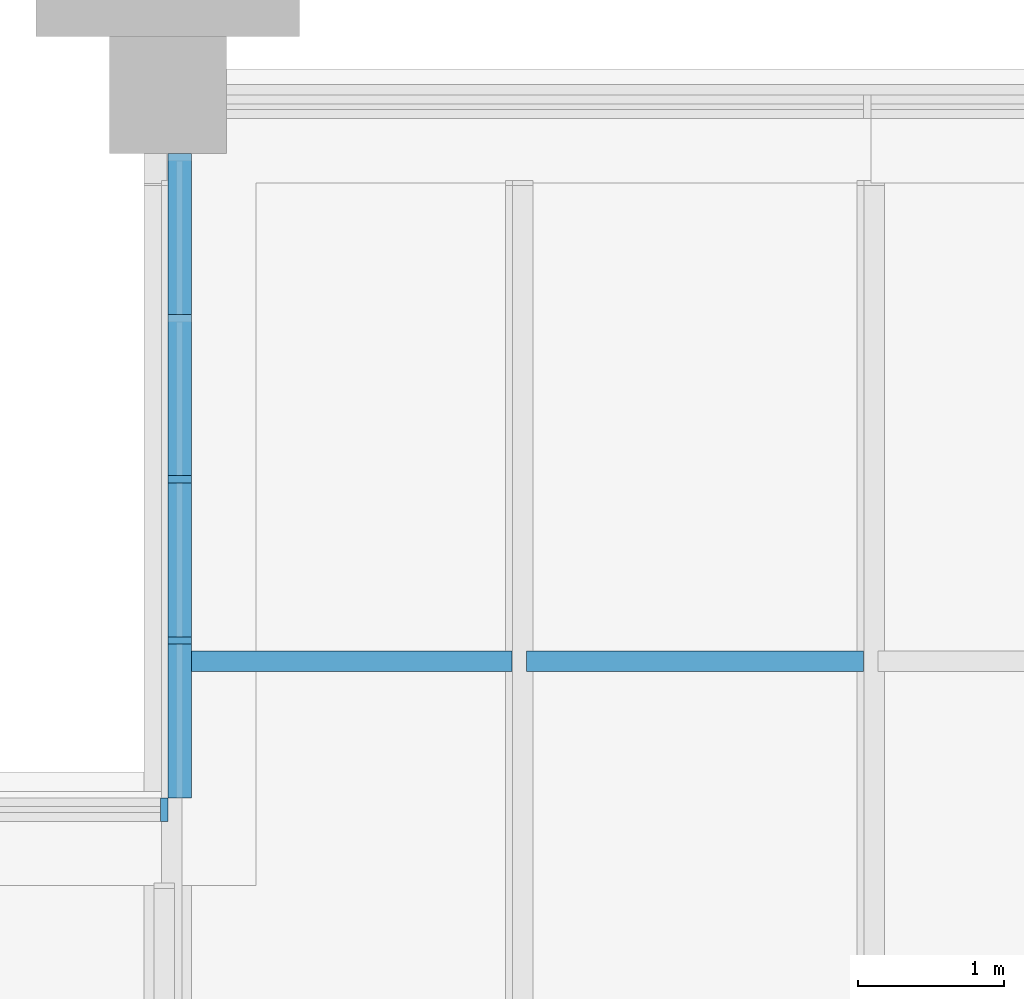
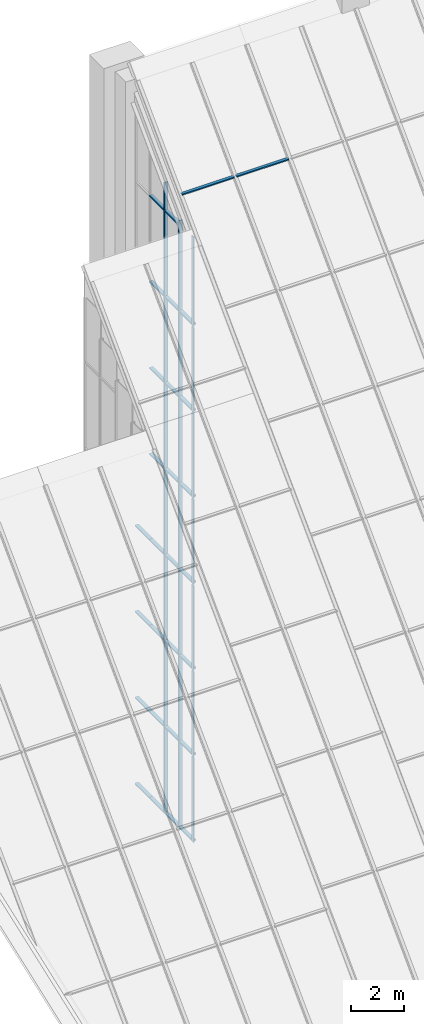
# One storey, part 7 of 25: 51 members, 36 elements without a shape of their own.
"""IFC4 building model written with IfcOpenShell, lengths in metres."""

from ifc_helpers import new_model, si_unit, direction, frame, origin, origin_2d, place, context, subcontext, project, spatial, rectangle, extrude, material, material_profile, profile_set, type_object, element, aggregate, save


model = new_model("IFC4")

# Units and contexts
model_context = context("Model", 3, precision=1e-05, world=origin(), true_north=direction((0.0, 1.0)))
body_context = subcontext(model_context, "Body", "Model", "MODEL_VIEW")
ifc_project = project(units=[si_unit("LENGTHUNIT", "METRE"), si_unit("AREAUNIT", "SQUARE_METRE"), si_unit("VOLUMEUNIT", "CUBIC_METRE"), si_unit("PLANEANGLEUNIT", "RADIAN"), si_unit("MASSUNIT", "GRAM", prefix="KILO")], contexts=[model_context])

# Site, building, storey
site_placement = place(None, origin())
site = spatial("IfcSite", under=ifc_project, at=site_placement, CompositionType="ELEMENT")
building_placement = place(site_placement, origin())
building = spatial("IfcBuilding", under=site, at=building_placement, Name="Baori Bourse Tower", CompositionType="ELEMENT")
storey_placement = place(building_placement, frame((0.0, 0.0, 378.300048828125)))
storey = spatial("IfcBuildingStorey", under=building, at=storey_placement, Name="Roof", CompositionType="ELEMENT", Elevation=378.300048828125)

# Curtain wall, member
ifc_material_1 = material(Name="Pale anodised aluminium", Category="aluminium")
curtain_wall_type_1 = type_object("IfcCurtainWallType", Name="CW3 Curtain wall", PredefinedType="NOTDEFINED", material=ifc_material_1)
curtain_wall_1_placement = place(storey_placement, origin())
curtain_wall_1 = element("IfcCurtainWall", 1, at=curtain_wall_1_placement, inside=storey, type_object=curtain_wall_type_1, Name="Curtain wall CW3 Roof 117", PredefinedType="NOTDEFINED")
ifc_material_2 = material(Name="Pale anodised aluminium", Category="aluminium")
ifc_material_profile_1 = material_profile(ifc_material_2, rectangle(XDim=0.159912109375, YDim=0.050048828125, at=origin_2d()), Name="Mullion 50x160")
ifc_profile_set_1 = profile_set([ifc_material_profile_1], Name="Pale anodised aluminium")
member_type_1 = type_object("IfcMemberType", Name="CW3 Curtain wall mullion", PredefinedType="MULLION", material=ifc_profile_set_1)
member_1_placement = place(storey_placement, frame((19.280029296875, 45.375, -0.18994140625), z_axis=(0.0, 0.0, 1.0), x_axis=(1.0, 0.0, 0.0)))
member_1 = element("IfcMember", 2, at=member_1_placement, type_object=member_type_1, Name="Curtain wall CW3 mullion", PredefinedType="MULLION", context=body_context, shape_type="SweptSolid", body=[
    extrude(rectangle(XDim=0.159912109375, YDim=0.050048828125, at=origin_2d()), origin(), (0.0, 0.0, 1.0), 3.93994140625),
])

curtain_wall_2_placement = place(storey_placement, origin())
curtain_wall_2 = element("IfcCurtainWall", 3, at=curtain_wall_2_placement, inside=storey, type_object=curtain_wall_type_1, Name="Curtain wall CW3 Roof 118", PredefinedType="NOTDEFINED")
member_2_placement = place(storey_placement, frame((19.280029296875, 45.375, 3.81005859375), z_axis=(0.0, 0.0, 1.0), x_axis=(1.0, 0.0, 0.0)))
member_2 = element("IfcMember", 4, at=member_2_placement, type_object=member_type_1, Name="Curtain wall CW3 mullion", PredefinedType="MULLION", context=body_context, shape_type="SweptSolid", body=[
    extrude(rectangle(XDim=0.159912109375, YDim=0.050048828125, at=origin_2d()), origin(), (0.0, 0.0, 1.0), 3.93994140625),
])

curtain_wall_3_placement = place(storey_placement, origin())
curtain_wall_3 = element("IfcCurtainWall", 5, at=curtain_wall_3_placement, inside=storey, type_object=curtain_wall_type_1, Name="Curtain wall CW3 Roof 119", PredefinedType="NOTDEFINED")
member_3_placement = place(storey_placement, frame((19.280029296875, 45.375, 7.81005859375), z_axis=(0.0, 0.0, 1.0), x_axis=(1.0, 0.0, 0.0)))
member_3 = element("IfcMember", 6, at=member_3_placement, type_object=member_type_1, Name="Curtain wall CW3 mullion", PredefinedType="MULLION", context=body_context, shape_type="SweptSolid", body=[
    extrude(rectangle(XDim=0.159912109375, YDim=0.050048828125, at=origin_2d()), origin(), (0.0, 0.0, 1.0), 3.93994140625),
])

curtain_wall_4_placement = place(storey_placement, origin())
curtain_wall_4 = element("IfcCurtainWall", 7, at=curtain_wall_4_placement, inside=storey, type_object=curtain_wall_type_1, Name="Curtain wall CW3 Roof 120", PredefinedType="NOTDEFINED")
member_4_placement = place(storey_placement, frame((19.280029296875, 45.375, 11.81005859375), z_axis=(0.0, 0.0, 1.0), x_axis=(1.0, 0.0, 0.0)))
member_4 = element("IfcMember", 8, at=member_4_placement, type_object=member_type_1, Name="Curtain wall CW3 mullion", PredefinedType="MULLION", context=body_context, shape_type="SweptSolid", body=[
    extrude(rectangle(XDim=0.159912109375, YDim=0.050048828125, at=origin_2d()), origin(), (0.0, 0.0, 1.0), 3.93994140625),
])

curtain_wall_5_placement = place(storey_placement, origin())
curtain_wall_5 = element("IfcCurtainWall", 9, at=curtain_wall_5_placement, inside=storey, type_object=curtain_wall_type_1, Name="Curtain wall CW3 Roof 121", PredefinedType="NOTDEFINED")
member_5_placement = place(storey_placement, frame((19.280029296875, 45.375, 15.81005859375), z_axis=(0.0, 0.0, 1.0), x_axis=(1.0, 0.0, 0.0)))
member_5 = element("IfcMember", 10, at=member_5_placement, type_object=member_type_1, Name="Curtain wall CW3 mullion", PredefinedType="MULLION", context=body_context, shape_type="SweptSolid", body=[
    extrude(rectangle(XDim=0.159912109375, YDim=0.050048828125, at=origin_2d()), origin(), (0.0, 0.0, 1.0), 3.93994140625),
])

curtain_wall_6_placement = place(storey_placement, origin())
curtain_wall_6 = element("IfcCurtainWall", 11, at=curtain_wall_6_placement, inside=storey, type_object=curtain_wall_type_1, Name="Curtain wall CW3 Roof 122", PredefinedType="NOTDEFINED")
member_6_placement = place(storey_placement, frame((19.280029296875, 45.375, 19.81005859375), z_axis=(0.0, 0.0, 1.0), x_axis=(1.0, 0.0, 0.0)))
member_6 = element("IfcMember", 12, at=member_6_placement, type_object=member_type_1, Name="Curtain wall CW3 mullion", PredefinedType="MULLION", context=body_context, shape_type="SweptSolid", body=[
    extrude(rectangle(XDim=0.159912109375, YDim=0.050048828125, at=origin_2d()), origin(), (0.0, 0.0, 1.0), 3.93994140625),
])

curtain_wall_7_placement = place(storey_placement, origin())
curtain_wall_7 = element("IfcCurtainWall", 13, at=curtain_wall_7_placement, inside=storey, type_object=curtain_wall_type_1, Name="Curtain wall CW3 Roof 123", PredefinedType="NOTDEFINED")
member_7_placement = place(storey_placement, frame((19.280029296875, 45.375, 23.81005859375), z_axis=(0.0, 0.0, 1.0), x_axis=(1.0, 0.0, 0.0)))
member_7 = element("IfcMember", 14, at=member_7_placement, type_object=member_type_1, Name="Curtain wall CW3 mullion", PredefinedType="MULLION", context=body_context, shape_type="SweptSolid", body=[
    extrude(rectangle(XDim=0.159912109375, YDim=0.050048828125, at=origin_2d()), origin(), (0.0, 0.0, 1.0), 3.93994140625),
])

curtain_wall_8_placement = place(storey_placement, origin())
curtain_wall_8 = element("IfcCurtainWall", 15, at=curtain_wall_8_placement, inside=storey, type_object=curtain_wall_type_1, Name="Curtain wall CW3 Roof 124", PredefinedType="NOTDEFINED")
member_8_placement = place(storey_placement, frame((19.280029296875, 45.375, 27.81005859375), z_axis=(0.0, 0.0, 1.0), x_axis=(1.0, 0.0, 0.0)))
member_8 = element("IfcMember", 16, at=member_8_placement, type_object=member_type_1, Name="Curtain wall CW3 mullion", PredefinedType="MULLION", context=body_context, shape_type="SweptSolid", body=[
    extrude(rectangle(XDim=0.159912109375, YDim=0.050048828125, at=origin_2d()), origin(), (0.0, 0.0, 1.0), 1.273681640625),
])

curtain_wall_9_placement = place(storey_placement, origin())
curtain_wall_9 = element("IfcCurtainWall", 17, at=curtain_wall_9_placement, inside=storey, type_object=curtain_wall_type_1, Name="Curtain wall CW3 Roof 125", PredefinedType="NOTDEFINED")
member_9_placement = place(storey_placement, frame((19.280029296875, 44.27490234375, -0.18994140625), z_axis=(0.0, 0.0, 1.0), x_axis=(1.0, 0.0, 0.0)))
member_9 = element("IfcMember", 18, at=member_9_placement, type_object=member_type_1, Name="Curtain wall CW3 mullion", PredefinedType="MULLION", context=body_context, shape_type="SweptSolid", body=[
    extrude(rectangle(XDim=0.159912109375, YDim=0.050048828125, at=origin_2d()), origin(), (0.0, 0.0, 1.0), 3.93994140625),
])

curtain_wall_10_placement = place(storey_placement, origin())
curtain_wall_10 = element("IfcCurtainWall", 19, at=curtain_wall_10_placement, inside=storey, type_object=curtain_wall_type_1, Name="Curtain wall CW3 Roof 126", PredefinedType="NOTDEFINED")
member_10_placement = place(storey_placement, frame((19.280029296875, 44.27490234375, 3.81005859375), z_axis=(0.0, 0.0, 1.0), x_axis=(1.0, 0.0, 0.0)))
member_10 = element("IfcMember", 20, at=member_10_placement, type_object=member_type_1, Name="Curtain wall CW3 mullion", PredefinedType="MULLION", context=body_context, shape_type="SweptSolid", body=[
    extrude(rectangle(XDim=0.159912109375, YDim=0.050048828125, at=origin_2d()), origin(), (0.0, 0.0, 1.0), 3.93994140625),
])

curtain_wall_11_placement = place(storey_placement, origin())
curtain_wall_11 = element("IfcCurtainWall", 21, at=curtain_wall_11_placement, inside=storey, type_object=curtain_wall_type_1, Name="Curtain wall CW3 Roof 127", PredefinedType="NOTDEFINED")
member_11_placement = place(storey_placement, frame((19.280029296875, 44.27490234375, 7.81005859375), z_axis=(0.0, 0.0, 1.0), x_axis=(1.0, 0.0, 0.0)))
member_11 = element("IfcMember", 22, at=member_11_placement, type_object=member_type_1, Name="Curtain wall CW3 mullion", PredefinedType="MULLION", context=body_context, shape_type="SweptSolid", body=[
    extrude(rectangle(XDim=0.159912109375, YDim=0.050048828125, at=origin_2d()), origin(), (0.0, 0.0, 1.0), 3.93994140625),
])

curtain_wall_12_placement = place(storey_placement, origin())
curtain_wall_12 = element("IfcCurtainWall", 23, at=curtain_wall_12_placement, inside=storey, type_object=curtain_wall_type_1, Name="Curtain wall CW3 Roof 128", PredefinedType="NOTDEFINED")
member_12_placement = place(storey_placement, frame((19.280029296875, 44.27490234375, 11.81005859375), z_axis=(0.0, 0.0, 1.0), x_axis=(1.0, 0.0, 0.0)))
member_12 = element("IfcMember", 24, at=member_12_placement, type_object=member_type_1, Name="Curtain wall CW3 mullion", PredefinedType="MULLION", context=body_context, shape_type="SweptSolid", body=[
    extrude(rectangle(XDim=0.159912109375, YDim=0.050048828125, at=origin_2d()), origin(), (0.0, 0.0, 1.0), 3.93994140625),
])

curtain_wall_13_placement = place(storey_placement, origin())
curtain_wall_13 = element("IfcCurtainWall", 25, at=curtain_wall_13_placement, inside=storey, type_object=curtain_wall_type_1, Name="Curtain wall CW3 Roof 129", PredefinedType="NOTDEFINED")
member_13_placement = place(storey_placement, frame((19.280029296875, 44.27490234375, 15.81005859375), z_axis=(0.0, 0.0, 1.0), x_axis=(1.0, 0.0, 0.0)))
member_13 = element("IfcMember", 26, at=member_13_placement, type_object=member_type_1, Name="Curtain wall CW3 mullion", PredefinedType="MULLION", context=body_context, shape_type="SweptSolid", body=[
    extrude(rectangle(XDim=0.159912109375, YDim=0.050048828125, at=origin_2d()), origin(), (0.0, 0.0, 1.0), 3.93994140625),
])

curtain_wall_14_placement = place(storey_placement, origin())
curtain_wall_14 = element("IfcCurtainWall", 27, at=curtain_wall_14_placement, inside=storey, type_object=curtain_wall_type_1, Name="Curtain wall CW3 Roof 130", PredefinedType="NOTDEFINED")
member_14_placement = place(storey_placement, frame((19.280029296875, 44.27490234375, 19.81005859375), z_axis=(0.0, 0.0, 1.0), x_axis=(1.0, 0.0, 0.0)))
member_14 = element("IfcMember", 28, at=member_14_placement, type_object=member_type_1, Name="Curtain wall CW3 mullion", PredefinedType="MULLION", context=body_context, shape_type="SweptSolid", body=[
    extrude(rectangle(XDim=0.159912109375, YDim=0.050048828125, at=origin_2d()), origin(), (0.0, 0.0, 1.0), 3.93994140625),
])

curtain_wall_15_placement = place(storey_placement, origin())
curtain_wall_15 = element("IfcCurtainWall", 29, at=curtain_wall_15_placement, inside=storey, type_object=curtain_wall_type_1, Name="Curtain wall CW3 Roof 131", PredefinedType="NOTDEFINED")
member_15_placement = place(storey_placement, frame((19.280029296875, 44.27490234375, 23.81005859375), z_axis=(0.0, 0.0, 1.0), x_axis=(1.0, 0.0, 0.0)))
member_15 = element("IfcMember", 30, at=member_15_placement, type_object=member_type_1, Name="Curtain wall CW3 mullion", PredefinedType="MULLION", context=body_context, shape_type="SweptSolid", body=[
    extrude(rectangle(XDim=0.159912109375, YDim=0.050048828125, at=origin_2d()), origin(), (0.0, 0.0, 1.0), 4.159912109375),
])

curtain_wall_16_placement = place(storey_placement, origin())
curtain_wall_16 = element("IfcCurtainWall", 31, at=curtain_wall_16_placement, inside=storey, type_object=curtain_wall_type_1, Name="Curtain wall CW3 Roof 132", PredefinedType="NOTDEFINED")
member_16_placement = place(storey_placement, frame((19.175048828125, 43.1201171875, -0.18994140625), z_axis=(0.0, 0.0, 1.0), x_axis=(0.0, -1.0, 0.0)))
member_16 = element("IfcMember", 32, at=member_16_placement, type_object=member_type_1, Name="Curtain wall CW3 mullion", PredefinedType="MULLION", context=body_context, shape_type="SweptSolid", body=[
    extrude(rectangle(XDim=0.159912109375, YDim=0.050048828125, at=origin_2d()), origin(), (0.0, 0.0, 1.0), 3.93994140625),
])
aggregate(curtain_wall_16, [member_16])

curtain_wall_17_placement = place(storey_placement, origin())
curtain_wall_17 = element("IfcCurtainWall", 33, at=curtain_wall_17_placement, inside=storey, type_object=curtain_wall_type_1, Name="Curtain wall CW3 Roof 133", PredefinedType="NOTDEFINED")
member_17_placement = place(storey_placement, frame((19.175048828125, 43.1201171875, 3.81005859375), z_axis=(0.0, 0.0, 1.0), x_axis=(0.0, -1.0, 0.0)))
member_17 = element("IfcMember", 34, at=member_17_placement, type_object=member_type_1, Name="Curtain wall CW3 mullion", PredefinedType="MULLION", context=body_context, shape_type="SweptSolid", body=[
    extrude(rectangle(XDim=0.159912109375, YDim=0.050048828125, at=origin_2d()), origin(), (0.0, 0.0, 1.0), 3.93994140625),
])
aggregate(curtain_wall_17, [member_17])

curtain_wall_18_placement = place(storey_placement, origin())
curtain_wall_18 = element("IfcCurtainWall", 35, at=curtain_wall_18_placement, inside=storey, type_object=curtain_wall_type_1, Name="Curtain wall CW3 Roof 134", PredefinedType="NOTDEFINED")
member_18_placement = place(storey_placement, frame((19.175048828125, 43.1201171875, 7.81005859375), z_axis=(0.0, 0.0, 1.0), x_axis=(0.0, -1.0, 0.0)))
member_18 = element("IfcMember", 36, at=member_18_placement, type_object=member_type_1, Name="Curtain wall CW3 mullion", PredefinedType="MULLION", context=body_context, shape_type="SweptSolid", body=[
    extrude(rectangle(XDim=0.159912109375, YDim=0.050048828125, at=origin_2d()), origin(), (0.0, 0.0, 1.0), 3.93994140625),
])
aggregate(curtain_wall_18, [member_18])

curtain_wall_19_placement = place(storey_placement, origin())
curtain_wall_19 = element("IfcCurtainWall", 37, at=curtain_wall_19_placement, inside=storey, type_object=curtain_wall_type_1, Name="Curtain wall CW3 Roof 135", PredefinedType="NOTDEFINED")
member_19_placement = place(storey_placement, frame((19.175048828125, 43.1201171875, 11.81005859375), z_axis=(0.0, 0.0, 1.0), x_axis=(0.0, -1.0, 0.0)))
member_19 = element("IfcMember", 38, at=member_19_placement, type_object=member_type_1, Name="Curtain wall CW3 mullion", PredefinedType="MULLION", context=body_context, shape_type="SweptSolid", body=[
    extrude(rectangle(XDim=0.159912109375, YDim=0.050048828125, at=origin_2d()), origin(), (0.0, 0.0, 1.0), 3.93994140625),
])
aggregate(curtain_wall_19, [member_19])

curtain_wall_20_placement = place(storey_placement, origin())
curtain_wall_20 = element("IfcCurtainWall", 39, at=curtain_wall_20_placement, inside=storey, type_object=curtain_wall_type_1, Name="Curtain wall CW3 Roof 136", PredefinedType="NOTDEFINED")
member_20_placement = place(storey_placement, frame((19.175048828125, 43.1201171875, 15.81005859375), z_axis=(0.0, 0.0, 1.0), x_axis=(0.0, -1.0, 0.0)))
member_20 = element("IfcMember", 40, at=member_20_placement, type_object=member_type_1, Name="Curtain wall CW3 mullion", PredefinedType="MULLION", context=body_context, shape_type="SweptSolid", body=[
    extrude(rectangle(XDim=0.159912109375, YDim=0.050048828125, at=origin_2d()), origin(), (0.0, 0.0, 1.0), 3.93994140625),
])
aggregate(curtain_wall_20, [member_20])

curtain_wall_21_placement = place(storey_placement, origin())
curtain_wall_21 = element("IfcCurtainWall", 41, at=curtain_wall_21_placement, inside=storey, type_object=curtain_wall_type_1, Name="Curtain wall CW3 Roof 137", PredefinedType="NOTDEFINED")
member_21_placement = place(storey_placement, frame((19.175048828125, 43.1201171875, 19.81005859375), z_axis=(0.0, 0.0, 1.0), x_axis=(0.0, -1.0, 0.0)))
member_21 = element("IfcMember", 42, at=member_21_placement, type_object=member_type_1, Name="Curtain wall CW3 mullion", PredefinedType="MULLION", context=body_context, shape_type="SweptSolid", body=[
    extrude(rectangle(XDim=0.159912109375, YDim=0.050048828125, at=origin_2d()), origin(), (0.0, 0.0, 1.0), 3.93994140625),
])
aggregate(curtain_wall_21, [member_21])

curtain_wall_22_placement = place(storey_placement, origin())
curtain_wall_22 = element("IfcCurtainWall", 43, at=curtain_wall_22_placement, inside=storey, type_object=curtain_wall_type_1, Name="Curtain wall CW3 Roof 138", PredefinedType="NOTDEFINED")
member_22_placement = place(storey_placement, frame((19.175048828125, 43.1201171875, 23.81005859375), z_axis=(0.0, 0.0, 1.0), x_axis=(0.0, -1.0, 0.0)))
member_22 = element("IfcMember", 44, at=member_22_placement, type_object=member_type_1, Name="Curtain wall CW3 mullion", PredefinedType="MULLION", context=body_context, shape_type="SweptSolid", body=[
    extrude(rectangle(XDim=0.159912109375, YDim=0.050048828125, at=origin_2d()), origin(), (0.0, 0.0, 1.0), 4.159912109375),
])
aggregate(curtain_wall_22, [member_22])

curtain_wall_23_placement = place(storey_placement, origin())
curtain_wall_23 = element("IfcCurtainWall", 45, at=curtain_wall_23_placement, inside=storey, type_object=curtain_wall_type_1, Name="Curtain wall CW3 Roof 101", PredefinedType="NOTDEFINED")
ifc_material_3 = material(Name="Pale anodised aluminium", Category="aluminium")
ifc_material_profile_2 = material_profile(ifc_material_3, rectangle(XDim=0.159912109375, YDim=0.06005859375, at=origin_2d()), Name="Transom 60x160")
ifc_profile_set_2 = profile_set([ifc_material_profile_2], Name="Pale anodised aluminium")
member_type_2 = type_object("IfcMemberType", Name="CW3 Curtain wall transom", PredefinedType="USERDEFINED", material=ifc_profile_set_2)
member_23_placement = place(storey_placement, frame((19.280029296875, 47.60009765625, -0.219970703125), z_axis=(0.0, -1.0, 0.0), x_axis=(1.0, 0.0, 0.0)))
member_23 = element("IfcMember", 46, at=member_23_placement, type_object=member_type_2, Name="Curtain wall CW3 sill rail", ObjectType="TRANSOM", PredefinedType="USERDEFINED", context=body_context, shape_type="SweptSolid", body=[
    extrude(rectangle(XDim=0.159912109375, YDim=0.06005859375, at=origin_2d()), origin(), (0.0, 0.0, 1.0), 1.10009765625),
])
aggregate(curtain_wall_23, [member_23])

curtain_wall_24_placement = place(storey_placement, origin())
curtain_wall_24 = element("IfcCurtainWall", 47, at=curtain_wall_24_placement, inside=storey, type_object=curtain_wall_type_1, Name="Curtain wall CW3 Roof 102", PredefinedType="NOTDEFINED")
member_24_placement = place(storey_placement, frame((19.280029296875, 47.60009765625, 3.780029296875), z_axis=(0.0, -1.0, 0.0), x_axis=(1.0, 0.0, 0.0)))
member_24 = element("IfcMember", 48, at=member_24_placement, type_object=member_type_2, Name="Curtain wall CW3 sill rail", ObjectType="TRANSOM", PredefinedType="USERDEFINED", context=body_context, shape_type="SweptSolid", body=[
    extrude(rectangle(XDim=0.159912109375, YDim=0.06005859375, at=origin_2d()), origin(), (0.0, 0.0, 1.0), 1.10009765625),
])
aggregate(curtain_wall_24, [member_24])

curtain_wall_25_placement = place(storey_placement, origin())
curtain_wall_25 = element("IfcCurtainWall", 49, at=curtain_wall_25_placement, inside=storey, type_object=curtain_wall_type_1, Name="Curtain wall CW3 Roof 103", PredefinedType="NOTDEFINED")
member_25_placement = place(storey_placement, frame((19.280029296875, 47.60009765625, 7.780029296875), z_axis=(0.0, -1.0, 0.0), x_axis=(1.0, 0.0, 0.0)))
member_25 = element("IfcMember", 50, at=member_25_placement, type_object=member_type_2, Name="Curtain wall CW3 sill rail", ObjectType="TRANSOM", PredefinedType="USERDEFINED", context=body_context, shape_type="SweptSolid", body=[
    extrude(rectangle(XDim=0.159912109375, YDim=0.06005859375, at=origin_2d()), origin(), (0.0, 0.0, 1.0), 1.10009765625),
])
aggregate(curtain_wall_25, [member_25])

curtain_wall_26_placement = place(storey_placement, origin())
curtain_wall_26 = element("IfcCurtainWall", 51, at=curtain_wall_26_placement, inside=storey, type_object=curtain_wall_type_1, Name="Curtain wall CW3 Roof 104", PredefinedType="NOTDEFINED")
member_26_placement = place(storey_placement, frame((19.280029296875, 47.60009765625, 11.780029296875), z_axis=(0.0, -1.0, 0.0), x_axis=(1.0, 0.0, 0.0)))
member_26 = element("IfcMember", 52, at=member_26_placement, type_object=member_type_2, Name="Curtain wall CW3 sill rail", ObjectType="TRANSOM", PredefinedType="USERDEFINED", context=body_context, shape_type="SweptSolid", body=[
    extrude(rectangle(XDim=0.159912109375, YDim=0.06005859375, at=origin_2d()), origin(), (0.0, 0.0, 1.0), 1.10009765625),
])
aggregate(curtain_wall_26, [member_26])

curtain_wall_27_placement = place(storey_placement, origin())
curtain_wall_27 = element("IfcCurtainWall", 53, at=curtain_wall_27_placement, inside=storey, type_object=curtain_wall_type_1, Name="Curtain wall CW3 Roof 109", PredefinedType="NOTDEFINED")
member_27_placement = place(storey_placement, frame((19.280029296875, 46.5, -0.219970703125), z_axis=(0.0, -1.0, 0.0), x_axis=(1.0, 0.0, 0.0)))
member_27 = element("IfcMember", 54, at=member_27_placement, type_object=member_type_2, Name="Curtain wall CW3 sill rail", ObjectType="TRANSOM", PredefinedType="USERDEFINED", context=body_context, shape_type="SweptSolid", body=[
    extrude(rectangle(XDim=0.159912109375, YDim=0.06005859375, at=origin_2d()), origin(), (0.0, 0.0, 1.0), 1.10009765625),
])
aggregate(curtain_wall_27, [member_27])

curtain_wall_28_placement = place(storey_placement, origin())
curtain_wall_28 = element("IfcCurtainWall", 55, at=curtain_wall_28_placement, inside=storey, type_object=curtain_wall_type_1, Name="Curtain wall CW3 Roof 110", PredefinedType="NOTDEFINED")
member_28_placement = place(storey_placement, frame((19.280029296875, 46.5, 3.780029296875), z_axis=(0.0, -1.0, 0.0), x_axis=(1.0, 0.0, 0.0)))
member_28 = element("IfcMember", 56, at=member_28_placement, type_object=member_type_2, Name="Curtain wall CW3 sill rail", ObjectType="TRANSOM", PredefinedType="USERDEFINED", context=body_context, shape_type="SweptSolid", body=[
    extrude(rectangle(XDim=0.159912109375, YDim=0.06005859375, at=origin_2d()), origin(), (0.0, 0.0, 1.0), 1.10009765625),
])
aggregate(curtain_wall_28, [member_28])

curtain_wall_29_placement = place(storey_placement, origin())
curtain_wall_29 = element("IfcCurtainWall", 57, at=curtain_wall_29_placement, inside=storey, type_object=curtain_wall_type_1, Name="Curtain wall CW3 Roof 111", PredefinedType="NOTDEFINED")
member_29_placement = place(storey_placement, frame((19.280029296875, 46.5, 7.780029296875), z_axis=(0.0, -1.0, 0.0), x_axis=(1.0, 0.0, 0.0)))
member_29 = element("IfcMember", 58, at=member_29_placement, type_object=member_type_2, Name="Curtain wall CW3 sill rail", ObjectType="TRANSOM", PredefinedType="USERDEFINED", context=body_context, shape_type="SweptSolid", body=[
    extrude(rectangle(XDim=0.159912109375, YDim=0.06005859375, at=origin_2d()), origin(), (0.0, 0.0, 1.0), 1.10009765625),
])
aggregate(curtain_wall_29, [member_29])

curtain_wall_30_placement = place(storey_placement, origin())
curtain_wall_30 = element("IfcCurtainWall", 59, at=curtain_wall_30_placement, inside=storey, type_object=curtain_wall_type_1, Name="Curtain wall CW3 Roof 112", PredefinedType="NOTDEFINED")
member_30_placement = place(storey_placement, frame((19.280029296875, 46.5, 11.780029296875), z_axis=(0.0, -1.0, 0.0), x_axis=(1.0, 0.0, 0.0)))
member_30 = element("IfcMember", 60, at=member_30_placement, type_object=member_type_2, Name="Curtain wall CW3 sill rail", ObjectType="TRANSOM", PredefinedType="USERDEFINED", context=body_context, shape_type="SweptSolid", body=[
    extrude(rectangle(XDim=0.159912109375, YDim=0.06005859375, at=origin_2d()), origin(), (0.0, 0.0, 1.0), 1.10009765625),
])
aggregate(curtain_wall_30, [member_30])

curtain_wall_31_placement = place(storey_placement, origin())
curtain_wall_31 = element("IfcCurtainWall", 61, at=curtain_wall_31_placement, inside=storey, type_object=curtain_wall_type_1, Name="Curtain wall CW3 Roof 113", PredefinedType="NOTDEFINED")
member_31_placement = place(storey_placement, frame((19.280029296875, 46.5, 15.780029296875), z_axis=(0.0, -1.0, 0.0), x_axis=(1.0, 0.0, 0.0)))
member_31 = element("IfcMember", 62, at=member_31_placement, type_object=member_type_2, Name="Curtain wall CW3 sill rail", ObjectType="TRANSOM", PredefinedType="USERDEFINED", context=body_context, shape_type="SweptSolid", body=[
    extrude(rectangle(XDim=0.159912109375, YDim=0.06005859375, at=origin_2d()), origin(), (0.0, 0.0, 1.0), 1.10009765625),
])
aggregate(curtain_wall_31, [member_31])

curtain_wall_32_placement = place(storey_placement, origin())
curtain_wall_32 = element("IfcCurtainWall", 63, at=curtain_wall_32_placement, inside=storey, type_object=curtain_wall_type_1, Name="Curtain wall CW3 Roof 114", PredefinedType="NOTDEFINED")
member_32_placement = place(storey_placement, frame((19.280029296875, 46.5, 19.780029296875), z_axis=(0.0, -1.0, 0.0), x_axis=(1.0, 0.0, 0.0)))
member_32 = element("IfcMember", 64, at=member_32_placement, type_object=member_type_2, Name="Curtain wall CW3 sill rail", ObjectType="TRANSOM", PredefinedType="USERDEFINED", context=body_context, shape_type="SweptSolid", body=[
    extrude(rectangle(XDim=0.159912109375, YDim=0.06005859375, at=origin_2d()), origin(), (0.0, 0.0, 1.0), 1.10009765625),
])
aggregate(curtain_wall_32, [member_32])

curtain_wall_33_placement = place(storey_placement, origin())
curtain_wall_33 = element("IfcCurtainWall", 65, at=curtain_wall_33_placement, inside=storey, type_object=curtain_wall_type_1, Name="Curtain wall CW3 Roof 115", PredefinedType="NOTDEFINED")
member_33_placement = place(storey_placement, frame((19.280029296875, 46.5, 23.780029296875), z_axis=(0.0, -1.0, 0.0), x_axis=(1.0, 0.0, 0.0)))
member_33 = element("IfcMember", 66, at=member_33_placement, type_object=member_type_2, Name="Curtain wall CW3 sill rail", ObjectType="TRANSOM", PredefinedType="USERDEFINED", context=body_context, shape_type="SweptSolid", body=[
    extrude(rectangle(XDim=0.159912109375, YDim=0.06005859375, at=origin_2d()), origin(), (0.0, 0.0, 1.0), 1.10009765625),
])
aggregate(curtain_wall_33, [member_33])

curtain_wall_34_placement = place(storey_placement, origin())
curtain_wall_34 = element("IfcCurtainWall", 67, at=curtain_wall_34_placement, inside=storey, type_object=curtain_wall_type_1, Name="Curtain wall CW3 Roof 116", PredefinedType="NOTDEFINED")
member_34_placement = place(storey_placement, frame((19.280029296875, 46.5, 27.780029296875), z_axis=(0.0, -1.0, 0.0), x_axis=(1.0, 0.0, 0.0)))
member_34 = element("IfcMember", 68, at=member_34_placement, type_object=member_type_2, Name="Curtain wall CW3 sill rail", ObjectType="TRANSOM", PredefinedType="USERDEFINED", context=body_context, shape_type="SweptSolid", body=[
    extrude(rectangle(XDim=0.159912109375, YDim=0.06005859375, at=origin_2d()), origin(), (0.0, 0.0, 1.0), 1.10009765625),
])
aggregate(curtain_wall_34, [member_34])

# Member
member_35_placement = place(storey_placement, frame((19.280029296875, 45.39990234375, -0.219970703125), z_axis=(0.0, -1.0, 0.0), x_axis=(1.0, 0.0, 0.0)))
member_35 = element("IfcMember", 69, at=member_35_placement, type_object=member_type_2, Name="Curtain wall CW3 sill rail", ObjectType="TRANSOM", PredefinedType="USERDEFINED", context=body_context, shape_type="SweptSolid", body=[
    extrude(rectangle(XDim=0.159912109375, YDim=0.06005859375, at=origin_2d()), origin(), (0.0, 0.0, 1.0), 1.099853515625),
])

aggregate(curtain_wall_1, [member_35, member_1])

member_36_placement = place(storey_placement, frame((19.280029296875, 45.39990234375, 3.780029296875), z_axis=(0.0, -1.0, 0.0), x_axis=(1.0, 0.0, 0.0)))
member_36 = element("IfcMember", 70, at=member_36_placement, type_object=member_type_2, Name="Curtain wall CW3 sill rail", ObjectType="TRANSOM", PredefinedType="USERDEFINED", context=body_context, shape_type="SweptSolid", body=[
    extrude(rectangle(XDim=0.159912109375, YDim=0.06005859375, at=origin_2d()), origin(), (0.0, 0.0, 1.0), 1.099853515625),
])

aggregate(curtain_wall_2, [member_36, member_2])

member_37_placement = place(storey_placement, frame((19.280029296875, 45.39990234375, 7.780029296875), z_axis=(0.0, -1.0, 0.0), x_axis=(1.0, 0.0, 0.0)))
member_37 = element("IfcMember", 71, at=member_37_placement, type_object=member_type_2, Name="Curtain wall CW3 sill rail", ObjectType="TRANSOM", PredefinedType="USERDEFINED", context=body_context, shape_type="SweptSolid", body=[
    extrude(rectangle(XDim=0.159912109375, YDim=0.06005859375, at=origin_2d()), origin(), (0.0, 0.0, 1.0), 1.099853515625),
])

aggregate(curtain_wall_3, [member_37, member_3])

member_38_placement = place(storey_placement, frame((19.280029296875, 45.39990234375, 11.780029296875), z_axis=(0.0, -1.0, 0.0), x_axis=(1.0, 0.0, 0.0)))
member_38 = element("IfcMember", 72, at=member_38_placement, type_object=member_type_2, Name="Curtain wall CW3 sill rail", ObjectType="TRANSOM", PredefinedType="USERDEFINED", context=body_context, shape_type="SweptSolid", body=[
    extrude(rectangle(XDim=0.159912109375, YDim=0.06005859375, at=origin_2d()), origin(), (0.0, 0.0, 1.0), 1.099853515625),
])

aggregate(curtain_wall_4, [member_38, member_4])

member_39_placement = place(storey_placement, frame((19.280029296875, 45.39990234375, 15.780029296875), z_axis=(0.0, -1.0, 0.0), x_axis=(1.0, 0.0, 0.0)))
member_39 = element("IfcMember", 73, at=member_39_placement, type_object=member_type_2, Name="Curtain wall CW3 sill rail", ObjectType="TRANSOM", PredefinedType="USERDEFINED", context=body_context, shape_type="SweptSolid", body=[
    extrude(rectangle(XDim=0.159912109375, YDim=0.06005859375, at=origin_2d()), origin(), (0.0, 0.0, 1.0), 1.099853515625),
])

aggregate(curtain_wall_5, [member_39, member_5])

member_40_placement = place(storey_placement, frame((19.280029296875, 45.39990234375, 19.780029296875), z_axis=(0.0, -1.0, 0.0), x_axis=(1.0, 0.0, 0.0)))
member_40 = element("IfcMember", 74, at=member_40_placement, type_object=member_type_2, Name="Curtain wall CW3 sill rail", ObjectType="TRANSOM", PredefinedType="USERDEFINED", context=body_context, shape_type="SweptSolid", body=[
    extrude(rectangle(XDim=0.159912109375, YDim=0.06005859375, at=origin_2d()), origin(), (0.0, 0.0, 1.0), 1.099853515625),
])

aggregate(curtain_wall_6, [member_40, member_6])

member_41_placement = place(storey_placement, frame((19.280029296875, 45.39990234375, 23.780029296875), z_axis=(0.0, -1.0, 0.0), x_axis=(1.0, 0.0, 0.0)))
member_41 = element("IfcMember", 75, at=member_41_placement, type_object=member_type_2, Name="Curtain wall CW3 sill rail", ObjectType="TRANSOM", PredefinedType="USERDEFINED", context=body_context, shape_type="SweptSolid", body=[
    extrude(rectangle(XDim=0.159912109375, YDim=0.06005859375, at=origin_2d()), origin(), (0.0, 0.0, 1.0), 1.099853515625),
])

aggregate(curtain_wall_7, [member_41, member_7])

member_42_placement = place(storey_placement, frame((19.280029296875, 45.39990234375, 27.780029296875), z_axis=(0.0, -1.0, 0.0), x_axis=(1.0, 0.0, 0.0)))
member_42 = element("IfcMember", 76, at=member_42_placement, type_object=member_type_2, Name="Curtain wall CW3 sill rail", ObjectType="TRANSOM", PredefinedType="USERDEFINED", context=body_context, shape_type="SweptSolid", body=[
    extrude(rectangle(XDim=0.159912109375, YDim=0.06005859375, at=origin_2d()), origin(), (0.0, 0.0, 1.0), 1.099853515625),
])

aggregate(curtain_wall_8, [member_42, member_8])

member_43_placement = place(storey_placement, frame((19.280029296875, 44.300048828125, -0.219970703125), z_axis=(0.0, -1.0, 0.0), x_axis=(1.0, 0.0, 0.0)))
member_43 = element("IfcMember", 77, at=member_43_placement, type_object=member_type_2, Name="Curtain wall CW3 sill rail", ObjectType="TRANSOM", PredefinedType="USERDEFINED", context=body_context, shape_type="SweptSolid", body=[
    extrude(rectangle(XDim=0.159912109375, YDim=0.06005859375, at=origin_2d()), origin(), (0.0, 0.0, 1.0), 1.10009765625),
])

aggregate(curtain_wall_9, [member_43, member_9])

member_44_placement = place(storey_placement, frame((19.280029296875, 44.300048828125, 3.780029296875), z_axis=(0.0, -1.0, 0.0), x_axis=(1.0, 0.0, 0.0)))
member_44 = element("IfcMember", 78, at=member_44_placement, type_object=member_type_2, Name="Curtain wall CW3 sill rail", ObjectType="TRANSOM", PredefinedType="USERDEFINED", context=body_context, shape_type="SweptSolid", body=[
    extrude(rectangle(XDim=0.159912109375, YDim=0.06005859375, at=origin_2d()), origin(), (0.0, 0.0, 1.0), 1.10009765625),
])

aggregate(curtain_wall_10, [member_44, member_10])

member_45_placement = place(storey_placement, frame((19.280029296875, 44.300048828125, 7.780029296875), z_axis=(0.0, -1.0, 0.0), x_axis=(1.0, 0.0, 0.0)))
member_45 = element("IfcMember", 79, at=member_45_placement, type_object=member_type_2, Name="Curtain wall CW3 sill rail", ObjectType="TRANSOM", PredefinedType="USERDEFINED", context=body_context, shape_type="SweptSolid", body=[
    extrude(rectangle(XDim=0.159912109375, YDim=0.06005859375, at=origin_2d()), origin(), (0.0, 0.0, 1.0), 1.10009765625),
])

aggregate(curtain_wall_11, [member_45, member_11])

member_46_placement = place(storey_placement, frame((19.280029296875, 44.300048828125, 11.780029296875), z_axis=(0.0, -1.0, 0.0), x_axis=(1.0, 0.0, 0.0)))
member_46 = element("IfcMember", 80, at=member_46_placement, type_object=member_type_2, Name="Curtain wall CW3 sill rail", ObjectType="TRANSOM", PredefinedType="USERDEFINED", context=body_context, shape_type="SweptSolid", body=[
    extrude(rectangle(XDim=0.159912109375, YDim=0.06005859375, at=origin_2d()), origin(), (0.0, 0.0, 1.0), 1.10009765625),
])

aggregate(curtain_wall_12, [member_46, member_12])

member_47_placement = place(storey_placement, frame((19.280029296875, 44.300048828125, 15.780029296875), z_axis=(0.0, -1.0, 0.0), x_axis=(1.0, 0.0, 0.0)))
member_47 = element("IfcMember", 81, at=member_47_placement, type_object=member_type_2, Name="Curtain wall CW3 sill rail", ObjectType="TRANSOM", PredefinedType="USERDEFINED", context=body_context, shape_type="SweptSolid", body=[
    extrude(rectangle(XDim=0.159912109375, YDim=0.06005859375, at=origin_2d()), origin(), (0.0, 0.0, 1.0), 1.10009765625),
])

aggregate(curtain_wall_13, [member_47, member_13])

member_48_placement = place(storey_placement, frame((19.280029296875, 44.300048828125, 19.780029296875), z_axis=(0.0, -1.0, 0.0), x_axis=(1.0, 0.0, 0.0)))
member_48 = element("IfcMember", 82, at=member_48_placement, type_object=member_type_2, Name="Curtain wall CW3 sill rail", ObjectType="TRANSOM", PredefinedType="USERDEFINED", context=body_context, shape_type="SweptSolid", body=[
    extrude(rectangle(XDim=0.159912109375, YDim=0.06005859375, at=origin_2d()), origin(), (0.0, 0.0, 1.0), 1.10009765625),
])

aggregate(curtain_wall_14, [member_48, member_14])

member_49_placement = place(storey_placement, frame((19.280029296875, 44.300048828125, 23.780029296875), z_axis=(0.0, -1.0, 0.0), x_axis=(1.0, 0.0, 0.0)))
member_49 = element("IfcMember", 83, at=member_49_placement, type_object=member_type_2, Name="Curtain wall CW3 sill rail", ObjectType="TRANSOM", PredefinedType="USERDEFINED", context=body_context, shape_type="SweptSolid", body=[
    extrude(rectangle(XDim=0.159912109375, YDim=0.06005859375, at=origin_2d()), origin(), (0.0, 0.0, 1.0), 1.10009765625),
])

aggregate(curtain_wall_15, [member_49, member_15])

# Curtain wall, member
ifc_material_4 = material(Name="Pale anodised aluminium", Category="aluminium")
curtain_wall_type_2 = type_object("IfcCurtainWallType", Name="CW4 Curtain wall", PredefinedType="NOTDEFINED", material=ifc_material_4)
curtain_wall_35_placement = place(storey_placement, origin())
curtain_wall_35 = element("IfcCurtainWall", 84, at=curtain_wall_35_placement, inside=storey, type_object=curtain_wall_type_2, Name="Curtain wall CW4 roof glazing 9", PredefinedType="NOTDEFINED")
ifc_material_5 = material(Name="Pale anodised aluminium", Category="aluminium")
ifc_material_profile_3 = material_profile(ifc_material_5, rectangle(XDim=0.139892578125, YDim=0.054931640625, at=origin_2d()), Name="Transom 55x140")
ifc_profile_set_3 = profile_set([ifc_material_profile_3], Name="Pale anodised aluminium")
member_type_3 = type_object("IfcMemberType", Name="CW4 Curtain wall transom", PredefinedType="USERDEFINED", material=ifc_profile_set_3)
member_50_placement = place(storey_placement, frame((19.25, 44.13232421875, 29.283447265625), z_axis=(1.0, 0.0, 0.0), x_axis=(0.0, 1.0, 0.0)))
member_50 = element("IfcMember", 85, at=member_50_placement, type_object=member_type_3, Name="Curtain wall CW4 cross bar 9.9", ObjectType="TRANSOM", PredefinedType="USERDEFINED", context=body_context, shape_type="SweptSolid", body=[
    extrude(rectangle(XDim=0.139892578125, YDim=0.054931640625, at=origin_2d()), origin(), (0.0, 0.0, 1.0), 2.300048828125),
])
aggregate(curtain_wall_35, [member_50])

curtain_wall_36_placement = place(storey_placement, origin())
curtain_wall_36 = element("IfcCurtainWall", 86, at=curtain_wall_36_placement, inside=storey, type_object=curtain_wall_type_2, Name="Curtain wall CW4 roof glazing 11", PredefinedType="NOTDEFINED")
member_51_placement = place(storey_placement, frame((21.64990234375, 44.13232421875, 29.283447265625), z_axis=(1.0, 0.0, 0.0), x_axis=(0.0, 1.0, 0.0)))
member_51 = element("IfcMember", 87, at=member_51_placement, type_object=member_type_3, Name="Curtain wall CW4 cross bar 11.9", ObjectType="TRANSOM", PredefinedType="USERDEFINED", context=body_context, shape_type="SweptSolid", body=[
    extrude(rectangle(XDim=0.139892578125, YDim=0.054931640625, at=origin_2d()), origin(), (0.0, 0.0, 1.0), 2.300048828125),
])
aggregate(curtain_wall_36, [member_51])

save(model, "model.ifc")
